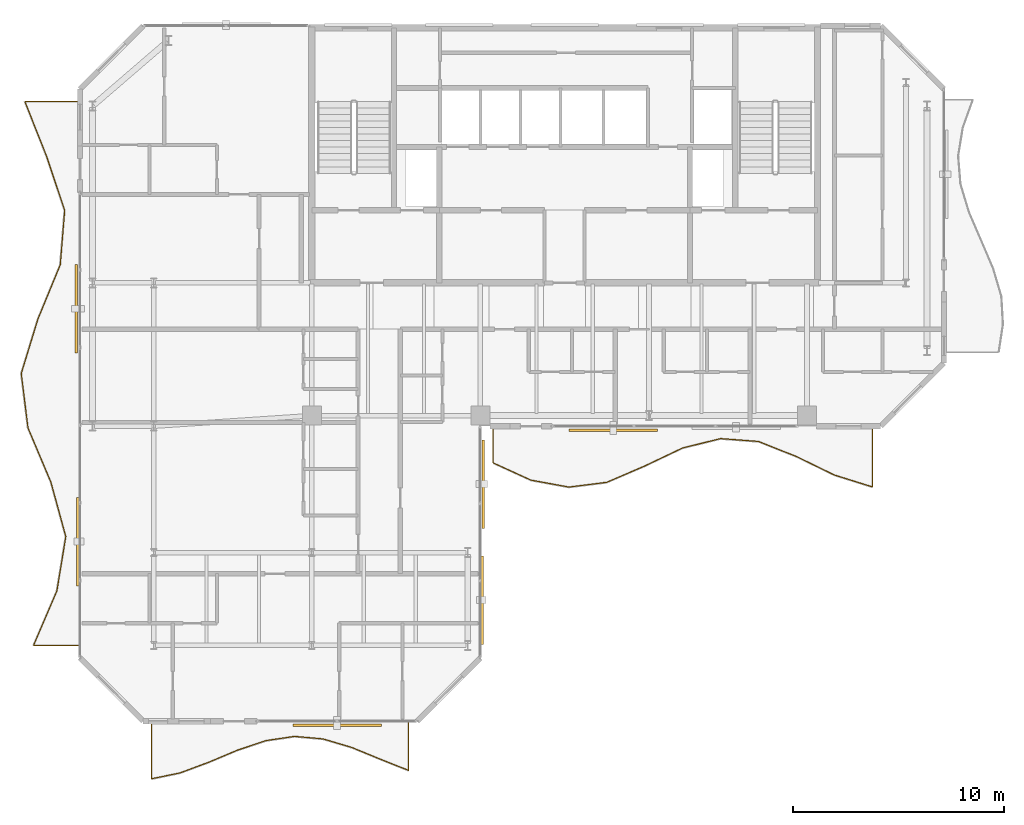
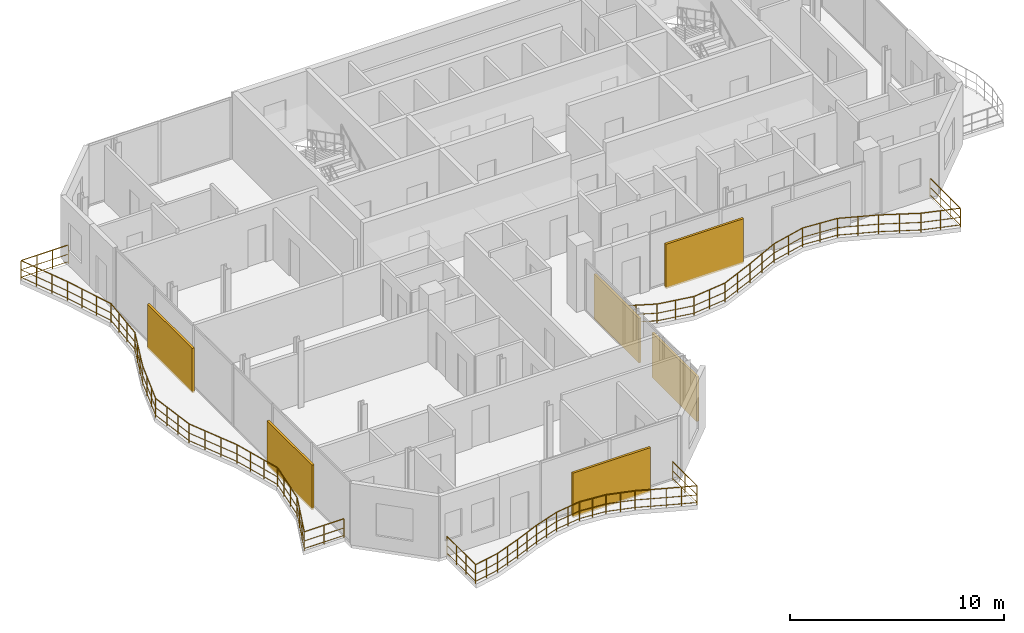
# One storey, part 22 of 24: 6 shading devices, 3 railings.
"""IFC4 building model written with IfcOpenShell, lengths in metres."""

from ifc_helpers import new_model, si_unit, direction, frame, origin, origin_2d, place, context, subcontext, project, spatial, rectangle, circle, extrude, material, type_object, element, save


model = new_model("IFC4")

# Units and contexts
model_context = context("Model", 3, precision=1e-05, world=origin(), true_north=direction((0.0, 1.0)))
body_context = subcontext(model_context, "Body", "Model", "MODEL_VIEW")
ifc_project = project(units=[si_unit("LENGTHUNIT", "METRE"), si_unit("AREAUNIT", "SQUARE_METRE"), si_unit("VOLUMEUNIT", "CUBIC_METRE"), si_unit("PLANEANGLEUNIT", "RADIAN"), si_unit("MASSUNIT", "GRAM", prefix="KILO")], contexts=[model_context])

# Site, building, storey
site_placement = place(None, origin())
site = spatial("IfcSite", under=ifc_project, at=site_placement, CompositionType="ELEMENT")
building_placement = place(site_placement, origin())
building = spatial("IfcBuilding", under=site, at=building_placement, Name="Catumbela Crestline Tower", CompositionType="ELEMENT")
storey_placement = place(building_placement, frame((0.0, 0.0, 237.4)))
storey = spatial("IfcBuildingStorey", under=building, at=storey_placement, Name="L61", CompositionType="ELEMENT", Elevation=237.4)

# Railings
ifc_material_1 = material(Name="Stainless steel EN 1.4401", Category="steel")
railing_type = type_object("IfcRailingType", Name="RB-1100", PredefinedType="BALUSTRADE", material=ifc_material_1)
railing_1_placement = place(storey_placement, frame((24.6, 23.94, 0.0)))
element("IfcRailing", 1, at=railing_1_placement, inside=storey, type_object=railing_type, Name="L61 Private Wave Balcony Balustrade 1", PredefinedType="BALUSTRADE", context=body_context, shape_type="SweptSolid", body=[
    extrude(circle(Radius=0.024, at=origin_2d()), frame((0.0, 0.0, 1.076), z_axis=(0.0, -1.0, 0.0), x_axis=(1.0, 0.0, 0.0)), (0.0, 0.0, 1.0), 1.68),
    extrude(circle(Radius=0.0156, at=origin_2d()), frame((0.0, 0.0, 0.55), z_axis=(0.0, -1.0, 0.0), x_axis=(1.0, 0.0, 0.0)), (0.0, 0.0, 1.0), 1.68),
    extrude(circle(Radius=0.0156, at=origin_2d()), frame((0.0, 0.0, 0.12), z_axis=(0.0, -1.0, 0.0), x_axis=(1.0, 0.0, 0.0)), (0.0, 0.0, 1.0), 1.68),
    extrude(circle(Radius=0.024, at=origin_2d()), frame((0.0, -1.68, 1.076), z_axis=(0.909733657009, -0.415192332907, 0.0), x_axis=(0.415192332907, 0.909733657009, 0.0)), (0.0, 0.0, 1.0), 1.9786),
    extrude(circle(Radius=0.0156, at=origin_2d()), frame((0.0, -1.68, 0.55), z_axis=(0.909733657009, -0.415192332907, 0.0), x_axis=(0.415192332907, 0.909733657009, 0.0)), (0.0, 0.0, 1.0), 1.9786),
    extrude(circle(Radius=0.0156, at=origin_2d()), frame((0.0, -1.68, 0.12), z_axis=(0.909733657009, -0.415192332907, 0.0), x_axis=(0.415192332907, 0.909733657009, 0.0)), (0.0, 0.0, 1.0), 1.9786),
    extrude(circle(Radius=0.024, at=origin_2d()), frame((1.8, -2.5015, 1.076), z_axis=(0.983751645667, -0.179534675334, 0.0), x_axis=(0.179534675334, 0.983751645667, 0.0)), (0.0, 0.0, 1.0), 1.8297),
    extrude(circle(Radius=0.0156, at=origin_2d()), frame((1.8, -2.5015, 0.55), z_axis=(0.983751645667, -0.179534675334, 0.0), x_axis=(0.179534675334, 0.983751645667, 0.0)), (0.0, 0.0, 1.0), 1.8297),
    extrude(circle(Radius=0.0156, at=origin_2d()), frame((1.8, -2.5015, 0.12), z_axis=(0.983751645667, -0.179534675334, 0.0), x_axis=(0.179534675334, 0.983751645667, 0.0)), (0.0, 0.0, 1.0), 1.8297),
    extrude(circle(Radius=0.024, at=origin_2d()), frame((3.6, -2.83, 1.076), z_axis=(0.992250714481, 0.124251839469, 0.0), x_axis=(-0.124251839469, 0.992250714481, 0.0)), (0.0, 0.0, 1.0), 1.8141),
    extrude(circle(Radius=0.0156, at=origin_2d()), frame((3.6, -2.83, 0.55), z_axis=(0.992250714481, 0.124251839469, 0.0), x_axis=(-0.124251839469, 0.992250714481, 0.0)), (0.0, 0.0, 1.0), 1.8141),
    extrude(circle(Radius=0.0156, at=origin_2d()), frame((3.6, -2.83, 0.12), z_axis=(0.992250714481, 0.124251839469, 0.0), x_axis=(-0.124251839469, 0.992250714481, 0.0)), (0.0, 0.0, 1.0), 1.8141),
    extrude(circle(Radius=0.024, at=origin_2d()), frame((5.4, -2.6046, 1.076), z_axis=(0.91863214227, 0.395113891414, 0.0), x_axis=(-0.395113891414, 0.91863214227, 0.0)), (0.0, 0.0, 1.0), 1.9594),
    extrude(circle(Radius=0.0156, at=origin_2d()), frame((5.4, -2.6046, 0.55), z_axis=(0.91863214227, 0.395113891414, 0.0), x_axis=(-0.395113891414, 0.91863214227, 0.0)), (0.0, 0.0, 1.0), 1.9594),
    extrude(circle(Radius=0.0156, at=origin_2d()), frame((5.4, -2.6046, 0.12), z_axis=(0.91863214227, 0.395113891414, 0.0), x_axis=(-0.395113891414, 0.91863214227, 0.0)), (0.0, 0.0, 1.0), 1.9594),
    extrude(circle(Radius=0.024, at=origin_2d()), frame((7.2, -1.8304, 1.076), z_axis=(0.903141340366, 0.429343358306, 0.0), x_axis=(-0.429343358306, 0.903141340366, 0.0)), (0.0, 0.0, 1.0), 1.993),
    extrude(circle(Radius=0.0156, at=origin_2d()), frame((7.2, -1.8304, 0.55), z_axis=(0.903141340366, 0.429343358306, 0.0), x_axis=(-0.429343358306, 0.903141340366, 0.0)), (0.0, 0.0, 1.0), 1.993),
    extrude(circle(Radius=0.0156, at=origin_2d()), frame((7.2, -1.8304, 0.12), z_axis=(0.903141340366, 0.429343358306, 0.0), x_axis=(-0.429343358306, 0.903141340366, 0.0)), (0.0, 0.0, 1.0), 1.993),
    extrude(circle(Radius=0.024, at=origin_2d()), frame((9.0, -0.9747, 1.076), z_axis=(0.97081135802, 0.239844339395, 0.0), x_axis=(-0.239844339395, 0.97081135802, 0.0)), (0.0, 0.0, 1.0), 1.8541),
    extrude(circle(Radius=0.0156, at=origin_2d()), frame((9.0, -0.9747, 0.55), z_axis=(0.97081135802, 0.239844339395, 0.0), x_axis=(-0.239844339395, 0.97081135802, 0.0)), (0.0, 0.0, 1.0), 1.8541),
    extrude(circle(Radius=0.0156, at=origin_2d()), frame((9.0, -0.9747, 0.12), z_axis=(0.97081135802, 0.239844339395, 0.0), x_axis=(-0.239844339395, 0.97081135802, 0.0)), (0.0, 0.0, 1.0), 1.8541),
    extrude(circle(Radius=0.024, at=origin_2d()), frame((10.8, -0.53, 1.076), z_axis=(0.9971244509, -0.075781458268, 0.0), x_axis=(0.075781458268, 0.9971244509, 0.0)), (0.0, 0.0, 1.0), 1.8052),
    extrude(circle(Radius=0.0156, at=origin_2d()), frame((10.8, -0.53, 0.55), z_axis=(0.9971244509, -0.075781458268, 0.0), x_axis=(0.075781458268, 0.9971244509, 0.0)), (0.0, 0.0, 1.0), 1.8052),
    extrude(circle(Radius=0.0156, at=origin_2d()), frame((10.8, -0.53, 0.12), z_axis=(0.9971244509, -0.075781458268, 0.0), x_axis=(0.075781458268, 0.9971244509, 0.0)), (0.0, 0.0, 1.0), 1.8052),
    extrude(circle(Radius=0.024, at=origin_2d()), frame((12.6, -0.6668, 1.076), z_axis=(0.929399644581, -0.369074925526, 0.0), x_axis=(0.369074925526, 0.929399644581, 0.0)), (0.0, 0.0, 1.0), 1.9367),
    extrude(circle(Radius=0.0156, at=origin_2d()), frame((12.6, -0.6668, 0.55), z_axis=(0.929399644581, -0.369074925526, 0.0), x_axis=(0.369074925526, 0.929399644581, 0.0)), (0.0, 0.0, 1.0), 1.9367),
    extrude(circle(Radius=0.0156, at=origin_2d()), frame((12.6, -0.6668, 0.12), z_axis=(0.929399644581, -0.369074925526, 0.0), x_axis=(0.369074925526, 0.929399644581, 0.0)), (0.0, 0.0, 1.0), 1.9367),
    extrude(circle(Radius=0.024, at=origin_2d()), frame((14.4, -1.3816, 1.076), z_axis=(0.899073055886, -0.437798629714, 0.0), x_axis=(0.437798629714, 0.899073055886, 0.0)), (0.0, 0.0, 1.0), 2.0021),
    extrude(circle(Radius=0.0156, at=origin_2d()), frame((14.4, -1.3816, 0.55), z_axis=(0.899073055886, -0.437798629714, 0.0), x_axis=(0.437798629714, 0.899073055886, 0.0)), (0.0, 0.0, 1.0), 2.0021),
    extrude(circle(Radius=0.0156, at=origin_2d()), frame((14.4, -1.3816, 0.12), z_axis=(0.899073055886, -0.437798629714, 0.0), x_axis=(0.437798629714, 0.899073055886, 0.0)), (0.0, 0.0, 1.0), 2.0021),
    extrude(circle(Radius=0.024, at=origin_2d()), frame((16.2, -2.2581, 1.076), z_axis=(0.954374253933, -0.298613099897, 0.0), x_axis=(0.298613099897, 0.954374253933, 0.0)), (0.0, 0.0, 1.0), 1.8861),
    extrude(circle(Radius=0.0156, at=origin_2d()), frame((16.2, -2.2581, 0.55), z_axis=(0.954374253933, -0.298613099897, 0.0), x_axis=(0.298613099897, 0.954374253933, 0.0)), (0.0, 0.0, 1.0), 1.8861),
    extrude(circle(Radius=0.0156, at=origin_2d()), frame((16.2, -2.2581, 0.12), z_axis=(0.954374253933, -0.298613099897, 0.0), x_axis=(0.298613099897, 0.954374253933, 0.0)), (0.0, 0.0, 1.0), 1.8861),
    extrude(circle(Radius=0.024, at=origin_2d()), frame((18.0, -2.8213, 1.076), z_axis=(0.0, 1.0, 0.0), x_axis=(-1.0, 0.0, 0.0)), (0.0, 0.0, 1.0), 2.8213),
    extrude(circle(Radius=0.0156, at=origin_2d()), frame((18.0, -2.8213, 0.55), z_axis=(0.0, 1.0, 0.0), x_axis=(-1.0, 0.0, 0.0)), (0.0, 0.0, 1.0), 2.8213),
    extrude(circle(Radius=0.0156, at=origin_2d()), frame((18.0, -2.8213, 0.12), z_axis=(0.0, 1.0, 0.0), x_axis=(-1.0, 0.0, 0.0)), (0.0, 0.0, 1.0), 2.8213),
    extrude(circle(Radius=0.021, at=origin_2d()), origin(), (0.0, 0.0, 1.0), 1.052),
    extrude(circle(Radius=0.021, at=origin_2d()), frame((0.0, -0.84, 0.0)), (0.0, 0.0, 1.0), 1.052),
    extrude(circle(Radius=0.021, at=origin_2d()), frame((0.0, -1.68, 0.0)), (0.0, 0.0, 1.0), 1.052),
    extrude(circle(Radius=0.021, at=origin_2d()), frame((0.9, -2.0908, 0.0)), (0.0, 0.0, 1.0), 1.052),
    extrude(circle(Radius=0.021, at=origin_2d()), frame((1.8, -2.5015, 0.0)), (0.0, 0.0, 1.0), 1.052),
    extrude(circle(Radius=0.021, at=origin_2d()), frame((2.7, -2.6658, 0.0)), (0.0, 0.0, 1.0), 1.052),
    extrude(circle(Radius=0.021, at=origin_2d()), frame((3.6, -2.83, 0.0)), (0.0, 0.0, 1.0), 1.052),
    extrude(circle(Radius=0.021, at=origin_2d()), frame((4.5, -2.7173, 0.0)), (0.0, 0.0, 1.0), 1.052),
    extrude(circle(Radius=0.021, at=origin_2d()), frame((5.4, -2.6046, 0.0)), (0.0, 0.0, 1.0), 1.052),
    extrude(circle(Radius=0.021, at=origin_2d()), frame((6.3, -2.2175, 0.0)), (0.0, 0.0, 1.0), 1.052),
    extrude(circle(Radius=0.021, at=origin_2d()), frame((7.2, -1.8304, 0.0)), (0.0, 0.0, 1.0), 1.052),
    extrude(circle(Radius=0.021, at=origin_2d()), frame((8.1, -1.4026, 0.0)), (0.0, 0.0, 1.0), 1.052),
    extrude(circle(Radius=0.021, at=origin_2d()), frame((9.0, -0.9747, 0.0)), (0.0, 0.0, 1.0), 1.052),
    extrude(circle(Radius=0.021, at=origin_2d()), frame((9.9, -0.7524, 0.0)), (0.0, 0.0, 1.0), 1.052),
    extrude(circle(Radius=0.021, at=origin_2d()), frame((10.8, -0.53, 0.0)), (0.0, 0.0, 1.0), 1.052),
    extrude(circle(Radius=0.021, at=origin_2d()), frame((11.7, -0.5984, 0.0)), (0.0, 0.0, 1.0), 1.052),
    extrude(circle(Radius=0.021, at=origin_2d()), frame((12.6, -0.6668, 0.0)), (0.0, 0.0, 1.0), 1.052),
    extrude(circle(Radius=0.021, at=origin_2d()), frame((13.5, -1.0242, 0.0)), (0.0, 0.0, 1.0), 1.052),
    extrude(circle(Radius=0.021, at=origin_2d()), frame((14.4, -1.3816, 0.0)), (0.0, 0.0, 1.0), 1.052),
    extrude(circle(Radius=0.021, at=origin_2d()), frame((15.3, -1.8199, 0.0)), (0.0, 0.0, 1.0), 1.052),
    extrude(circle(Radius=0.021, at=origin_2d()), frame((16.2, -2.2581, 0.0)), (0.0, 0.0, 1.0), 1.052),
    extrude(circle(Radius=0.021, at=origin_2d()), frame((17.1, -2.5397, 0.0)), (0.0, 0.0, 1.0), 1.052),
    extrude(circle(Radius=0.021, at=origin_2d()), frame((18.0, -2.8213, 0.0)), (0.0, 0.0, 1.0), 1.052),
    extrude(circle(Radius=0.021, at=origin_2d()), frame((18.0, -1.8809, 0.0)), (0.0, 0.0, 1.0), 1.052),
    extrude(circle(Radius=0.021, at=origin_2d()), frame((18.0, -0.9404, 0.0)), (0.0, 0.0, 1.0), 1.052),
    extrude(circle(Radius=0.021, at=origin_2d()), frame((18.0, 0.0, 0.0)), (0.0, 0.0, 1.0), 1.052),
])
railing_2_placement = place(storey_placement, frame((8.4, 9.94, 0.0)))
element("IfcRailing", 2, at=railing_2_placement, inside=storey, type_object=railing_type, Name="L61 Private Wave Balcony Balustrade 3", PredefinedType="BALUSTRADE", context=body_context, shape_type="SweptSolid", body=[
    extrude(circle(Radius=0.024, at=origin_2d()), frame((0.0, 0.0, 1.076), z_axis=(0.0, -1.0, 0.0), x_axis=(1.0, 0.0, 0.0)), (0.0, 0.0, 1.0), 2.6733),
    extrude(circle(Radius=0.0156, at=origin_2d()), frame((0.0, 0.0, 0.55), z_axis=(0.0, -1.0, 0.0), x_axis=(1.0, 0.0, 0.0)), (0.0, 0.0, 1.0), 2.6733),
    extrude(circle(Radius=0.0156, at=origin_2d()), frame((0.0, 0.0, 0.12), z_axis=(0.0, -1.0, 0.0), x_axis=(1.0, 0.0, 0.0)), (0.0, 0.0, 1.0), 2.6733),
    extrude(circle(Radius=0.024, at=origin_2d()), frame((0.0, -2.6733, 1.076), z_axis=(0.979255971332, 0.20262710236, 0.0), x_axis=(-0.20262710236, 0.979255971332, 0.0)), (0.0, 0.0, 1.0), 1.3843),
    extrude(circle(Radius=0.0156, at=origin_2d()), frame((0.0, -2.6733, 0.55), z_axis=(0.979255971332, 0.20262710236, 0.0), x_axis=(-0.20262710236, 0.979255971332, 0.0)), (0.0, 0.0, 1.0), 1.3843),
    extrude(circle(Radius=0.0156, at=origin_2d()), frame((0.0, -2.6733, 0.12), z_axis=(0.979255971332, 0.20262710236, 0.0), x_axis=(-0.20262710236, 0.979255971332, 0.0)), (0.0, 0.0, 1.0), 1.3843),
    extrude(circle(Radius=0.024, at=origin_2d()), frame((1.3556, -2.3928, 1.076), z_axis=(0.93726073725, 0.348629187548, 0.0), x_axis=(-0.348629187548, 0.93726073725, 0.0)), (0.0, 0.0, 1.0), 1.4462),
    extrude(circle(Radius=0.0156, at=origin_2d()), frame((1.3556, -2.3928, 0.55), z_axis=(0.93726073725, 0.348629187548, 0.0), x_axis=(-0.348629187548, 0.93726073725, 0.0)), (0.0, 0.0, 1.0), 1.4462),
    extrude(circle(Radius=0.0156, at=origin_2d()), frame((1.3556, -2.3928, 0.12), z_axis=(0.93726073725, 0.348629187548, 0.0), x_axis=(-0.348629187548, 0.93726073725, 0.0)), (0.0, 0.0, 1.0), 1.4462),
    extrude(circle(Radius=0.024, at=origin_2d()), frame((2.7111, -1.8886, 1.076), z_axis=(0.921897589899, 0.387433650756, 0.0), x_axis=(-0.387433650756, 0.921897589899, 0.0)), (0.0, 0.0, 1.0), 1.4704),
    extrude(circle(Radius=0.0156, at=origin_2d()), frame((2.7111, -1.8886, 0.55), z_axis=(0.921897589899, 0.387433650756, 0.0), x_axis=(-0.387433650756, 0.921897589899, 0.0)), (0.0, 0.0, 1.0), 1.4704),
    extrude(circle(Radius=0.0156, at=origin_2d()), frame((2.7111, -1.8886, 0.12), z_axis=(0.921897589899, 0.387433650756, 0.0), x_axis=(-0.387433650756, 0.921897589899, 0.0)), (0.0, 0.0, 1.0), 1.4704),
    extrude(circle(Radius=0.024, at=origin_2d()), frame((4.0667, -1.3189, 1.076), z_axis=(0.947742229417, 0.319037092795, 0.0), x_axis=(-0.319037092795, 0.947742229417, 0.0)), (0.0, 0.0, 1.0), 1.4302),
    extrude(circle(Radius=0.0156, at=origin_2d()), frame((4.0667, -1.3189, 0.55), z_axis=(0.947742229417, 0.319037092795, 0.0), x_axis=(-0.319037092795, 0.947742229417, 0.0)), (0.0, 0.0, 1.0), 1.4302),
    extrude(circle(Radius=0.0156, at=origin_2d()), frame((4.0667, -1.3189, 0.12), z_axis=(0.947742229417, 0.319037092795, 0.0), x_axis=(-0.319037092795, 0.947742229417, 0.0)), (0.0, 0.0, 1.0), 1.4302),
    extrude(circle(Radius=0.024, at=origin_2d()), frame((5.4222, -0.8626, 1.076), z_axis=(0.989301589642, 0.145884765247, 0.0), x_axis=(-0.145884765247, 0.989301589642, 0.0)), (0.0, 0.0, 1.0), 1.3703),
    extrude(circle(Radius=0.0156, at=origin_2d()), frame((5.4222, -0.8626, 0.55), z_axis=(0.989301589642, 0.145884765247, 0.0), x_axis=(-0.145884765247, 0.989301589642, 0.0)), (0.0, 0.0, 1.0), 1.3703),
    extrude(circle(Radius=0.0156, at=origin_2d()), frame((5.4222, -0.8626, 0.12), z_axis=(0.989301589642, 0.145884765247, 0.0), x_axis=(-0.145884765247, 0.989301589642, 0.0)), (0.0, 0.0, 1.0), 1.3703),
    extrude(circle(Radius=0.024, at=origin_2d()), frame((6.7778, -0.6627, 1.076), z_axis=(0.996136470623, -0.087818744551, 0.0), x_axis=(0.087818744551, 0.996136470623, 0.0)), (0.0, 0.0, 1.0), 1.3608),
    extrude(circle(Radius=0.0156, at=origin_2d()), frame((6.7778, -0.6627, 0.55), z_axis=(0.996136470623, -0.087818744551, 0.0), x_axis=(0.087818744551, 0.996136470623, 0.0)), (0.0, 0.0, 1.0), 1.3608),
    extrude(circle(Radius=0.0156, at=origin_2d()), frame((6.7778, -0.6627, 0.12), z_axis=(0.996136470623, -0.087818744551, 0.0), x_axis=(0.087818744551, 0.996136470623, 0.0)), (0.0, 0.0, 1.0), 1.3608),
    extrude(circle(Radius=0.024, at=origin_2d()), frame((8.1333, -0.7822, 1.076), z_axis=(0.958886552116, -0.283789675943, 0.0), x_axis=(0.283789675943, 0.958886552116, 0.0)), (0.0, 0.0, 1.0), 1.4137),
    extrude(circle(Radius=0.0156, at=origin_2d()), frame((8.1333, -0.7822, 0.55), z_axis=(0.958886552116, -0.283789675943, 0.0), x_axis=(0.283789675943, 0.958886552116, 0.0)), (0.0, 0.0, 1.0), 1.4137),
    extrude(circle(Radius=0.0156, at=origin_2d()), frame((8.1333, -0.7822, 0.12), z_axis=(0.958886552116, -0.283789675943, 0.0), x_axis=(0.283789675943, 0.958886552116, 0.0)), (0.0, 0.0, 1.0), 1.4137),
    extrude(circle(Radius=0.024, at=origin_2d()), frame((9.4889, -1.1834, 1.076), z_axis=(0.924929438633, -0.380138834572, 0.0), x_axis=(0.380138834572, 0.924929438633, 0.0)), (0.0, 0.0, 1.0), 1.4655),
    extrude(circle(Radius=0.0156, at=origin_2d()), frame((9.4889, -1.1834, 0.55), z_axis=(0.924929438633, -0.380138834572, 0.0), x_axis=(0.380138834572, 0.924929438633, 0.0)), (0.0, 0.0, 1.0), 1.4655),
    extrude(circle(Radius=0.0156, at=origin_2d()), frame((9.4889, -1.1834, 0.12), z_axis=(0.924929438633, -0.380138834572, 0.0), x_axis=(0.380138834572, 0.924929438633, 0.0)), (0.0, 0.0, 1.0), 1.4655),
    extrude(circle(Radius=0.024, at=origin_2d()), frame((10.8444, -1.7405, 1.076), z_axis=(0.929452275116, -0.368942364444, 0.0), x_axis=(0.368942364444, 0.929452275116, 0.0)), (0.0, 0.0, 1.0), 1.4585),
    extrude(circle(Radius=0.0156, at=origin_2d()), frame((10.8444, -1.7405, 0.55), z_axis=(0.929452275116, -0.368942364444, 0.0), x_axis=(0.368942364444, 0.929452275116, 0.0)), (0.0, 0.0, 1.0), 1.4585),
    extrude(circle(Radius=0.0156, at=origin_2d()), frame((10.8444, -1.7405, 0.12), z_axis=(0.929452275116, -0.368942364444, 0.0), x_axis=(0.368942364444, 0.929452275116, 0.0)), (0.0, 0.0, 1.0), 1.4585),
    extrude(circle(Radius=0.024, at=origin_2d()), frame((12.2, -2.2786, 1.076), z_axis=(0.0, 1.0, 0.0), x_axis=(-1.0, 0.0, 0.0)), (0.0, 0.0, 1.0), 2.2786),
    extrude(circle(Radius=0.0156, at=origin_2d()), frame((12.2, -2.2786, 0.55), z_axis=(0.0, 1.0, 0.0), x_axis=(-1.0, 0.0, 0.0)), (0.0, 0.0, 1.0), 2.2786),
    extrude(circle(Radius=0.0156, at=origin_2d()), frame((12.2, -2.2786, 0.12), z_axis=(0.0, 1.0, 0.0), x_axis=(-1.0, 0.0, 0.0)), (0.0, 0.0, 1.0), 2.2786),
    extrude(circle(Radius=0.021, at=origin_2d()), origin(), (0.0, 0.0, 1.0), 1.052),
    extrude(circle(Radius=0.021, at=origin_2d()), frame((0.0, -0.8911, 0.0)), (0.0, 0.0, 1.0), 1.052),
    extrude(circle(Radius=0.021, at=origin_2d()), frame((0.0, -1.7822, 0.0)), (0.0, 0.0, 1.0), 1.052),
    extrude(circle(Radius=0.021, at=origin_2d()), frame((0.0, -2.6733, 0.0)), (0.0, 0.0, 1.0), 1.052),
    extrude(circle(Radius=0.021, at=origin_2d()), frame((0.6778, -2.533, 0.0)), (0.0, 0.0, 1.0), 1.052),
    extrude(circle(Radius=0.021, at=origin_2d()), frame((1.3556, -2.3928, 0.0)), (0.0, 0.0, 1.0), 1.052),
    extrude(circle(Radius=0.021, at=origin_2d()), frame((2.0333, -2.1407, 0.0)), (0.0, 0.0, 1.0), 1.052),
    extrude(circle(Radius=0.021, at=origin_2d()), frame((2.7111, -1.8886, 0.0)), (0.0, 0.0, 1.0), 1.052),
    extrude(circle(Radius=0.021, at=origin_2d()), frame((3.3889, -1.6037, 0.0)), (0.0, 0.0, 1.0), 1.052),
    extrude(circle(Radius=0.021, at=origin_2d()), frame((4.0667, -1.3189, 0.0)), (0.0, 0.0, 1.0), 1.052),
    extrude(circle(Radius=0.021, at=origin_2d()), frame((4.7444, -1.0907, 0.0)), (0.0, 0.0, 1.0), 1.052),
    extrude(circle(Radius=0.021, at=origin_2d()), frame((5.4222, -0.8626, 0.0)), (0.0, 0.0, 1.0), 1.052),
    extrude(circle(Radius=0.021, at=origin_2d()), frame((6.1, -0.7626, 0.0)), (0.0, 0.0, 1.0), 1.052),
    extrude(circle(Radius=0.021, at=origin_2d()), frame((6.7778, -0.6627, 0.0)), (0.0, 0.0, 1.0), 1.052),
    extrude(circle(Radius=0.021, at=origin_2d()), frame((7.4556, -0.7224, 0.0)), (0.0, 0.0, 1.0), 1.052),
    extrude(circle(Radius=0.021, at=origin_2d()), frame((8.1333, -0.7822, 0.0)), (0.0, 0.0, 1.0), 1.052),
    extrude(circle(Radius=0.021, at=origin_2d()), frame((8.8111, -0.9828, 0.0)), (0.0, 0.0, 1.0), 1.052),
    extrude(circle(Radius=0.021, at=origin_2d()), frame((9.4889, -1.1834, 0.0)), (0.0, 0.0, 1.0), 1.052),
    extrude(circle(Radius=0.021, at=origin_2d()), frame((10.1666, -1.4619, 0.0)), (0.0, 0.0, 1.0), 1.052),
    extrude(circle(Radius=0.021, at=origin_2d()), frame((10.8444, -1.7405, 0.0)), (0.0, 0.0, 1.0), 1.052),
    extrude(circle(Radius=0.021, at=origin_2d()), frame((11.5222, -2.0095, 0.0)), (0.0, 0.0, 1.0), 1.052),
    extrude(circle(Radius=0.021, at=origin_2d()), frame((12.2, -2.2786, 0.0)), (0.0, 0.0, 1.0), 1.052),
    extrude(circle(Radius=0.021, at=origin_2d()), frame((12.2, -1.1393, 0.0)), (0.0, 0.0, 1.0), 1.052),
    extrude(circle(Radius=0.021, at=origin_2d()), frame((12.2, 0.0, 0.0)), (0.0, 0.0, 1.0), 1.052),
])
railing_3_placement = place(storey_placement, frame((4.94, 39.4, 0.0)))
element("IfcRailing", 3, at=railing_3_placement, inside=storey, type_object=railing_type, Name="L61 Private Wave Balcony Balustrade 4", PredefinedType="BALUSTRADE", context=body_context, shape_type="SweptSolid", body=[
    extrude(circle(Radius=0.024, at=origin_2d()), frame((0.0, 0.0, 1.076), z_axis=(-1.0, 0.0, 0.0), x_axis=(0.0, -1.0, 0.0)), (0.0, 0.0, 1.0), 2.5526),
    extrude(circle(Radius=0.0156, at=origin_2d()), frame((0.0, 0.0, 0.55), z_axis=(-1.0, 0.0, 0.0), x_axis=(0.0, -1.0, 0.0)), (0.0, 0.0, 1.0), 2.5526),
    extrude(circle(Radius=0.0156, at=origin_2d()), frame((0.0, 0.0, 0.12), z_axis=(-1.0, 0.0, 0.0), x_axis=(0.0, -1.0, 0.0)), (0.0, 0.0, 1.0), 2.5526),
    extrude(circle(Radius=0.024, at=origin_2d()), frame((-2.5526, 0.0, 1.076), z_axis=(0.368686912688, -0.929553635038, 0.0), x_axis=(0.929553635038, 0.368686912688, 0.0)), (0.0, 0.0, 1.0), 2.7755),
    extrude(circle(Radius=0.0156, at=origin_2d()), frame((-2.5526, 0.0, 0.55), z_axis=(0.368686912688, -0.929553635038, 0.0), x_axis=(0.929553635038, 0.368686912688, 0.0)), (0.0, 0.0, 1.0), 2.7755),
    extrude(circle(Radius=0.0156, at=origin_2d()), frame((-2.5526, 0.0, 0.12), z_axis=(0.368686912688, -0.929553635038, 0.0), x_axis=(0.929553635038, 0.368686912688, 0.0)), (0.0, 0.0, 1.0), 2.7755),
    extrude(circle(Radius=0.024, at=origin_2d()), frame((-1.5293, -2.58, 1.076), z_axis=(0.317484488838, -0.948263465155, 0.0), x_axis=(0.948263465155, 0.317484488838, 0.0)), (0.0, 0.0, 1.0), 2.7208),
    extrude(circle(Radius=0.0156, at=origin_2d()), frame((-1.5293, -2.58, 0.55), z_axis=(0.317484488838, -0.948263465155, 0.0), x_axis=(0.948263465155, 0.317484488838, 0.0)), (0.0, 0.0, 1.0), 2.7208),
    extrude(circle(Radius=0.0156, at=origin_2d()), frame((-1.5293, -2.58, 0.12), z_axis=(0.317484488838, -0.948263465155, 0.0), x_axis=(0.948263465155, 0.317484488838, 0.0)), (0.0, 0.0, 1.0), 2.7208),
    extrude(circle(Radius=0.024, at=origin_2d()), frame((-0.6655, -5.16, 1.076), z_axis=(-0.081203805519, -0.99669751779, 0.0), x_axis=(0.99669751779, -0.081203805519, 0.0)), (0.0, 0.0, 1.0), 2.5885),
    extrude(circle(Radius=0.0156, at=origin_2d()), frame((-0.6655, -5.16, 0.55), z_axis=(-0.081203805519, -0.99669751779, 0.0), x_axis=(0.99669751779, -0.081203805519, 0.0)), (0.0, 0.0, 1.0), 2.5885),
    extrude(circle(Radius=0.0156, at=origin_2d()), frame((-0.6655, -5.16, 0.12), z_axis=(-0.081203805519, -0.99669751779, 0.0), x_axis=(0.99669751779, -0.081203805519, 0.0)), (0.0, 0.0, 1.0), 2.5885),
    extrude(circle(Radius=0.024, at=origin_2d()), frame((-0.8757, -7.74, 1.076), z_axis=(-0.380519034919, -0.924773087878, 0.0), x_axis=(0.924773087878, -0.380519034919, 0.0)), (0.0, 0.0, 1.0), 2.7899),
    extrude(circle(Radius=0.0156, at=origin_2d()), frame((-0.8757, -7.74, 0.55), z_axis=(-0.380519034919, -0.924773087878, 0.0), x_axis=(0.924773087878, -0.380519034919, 0.0)), (0.0, 0.0, 1.0), 2.7899),
    extrude(circle(Radius=0.0156, at=origin_2d()), frame((-0.8757, -7.74, 0.12), z_axis=(-0.380519034919, -0.924773087878, 0.0), x_axis=(0.924773087878, -0.380519034919, 0.0)), (0.0, 0.0, 1.0), 2.7899),
    extrude(circle(Radius=0.024, at=origin_2d()), frame((-1.9373, -10.32, 1.076), z_axis=(-0.292512316759, -0.956261755245, 0.0), x_axis=(0.956261755245, -0.292512316759, 0.0)), (0.0, 0.0, 1.0), 2.698),
    extrude(circle(Radius=0.0156, at=origin_2d()), frame((-1.9373, -10.32, 0.55), z_axis=(-0.292512316759, -0.956261755245, 0.0), x_axis=(0.956261755245, -0.292512316759, 0.0)), (0.0, 0.0, 1.0), 2.698),
    extrude(circle(Radius=0.0156, at=origin_2d()), frame((-1.9373, -10.32, 0.12), z_axis=(-0.292512316759, -0.956261755245, 0.0), x_axis=(0.956261755245, -0.292512316759, 0.0)), (0.0, 0.0, 1.0), 2.698),
    extrude(circle(Radius=0.024, at=origin_2d()), frame((-2.7265, -12.9, 1.076), z_axis=(0.122557445271, -0.992461421219, 0.0), x_axis=(0.992461421219, 0.122557445271, 0.0)), (0.0, 0.0, 1.0), 2.5996),
    extrude(circle(Radius=0.0156, at=origin_2d()), frame((-2.7265, -12.9, 0.55), z_axis=(0.122557445271, -0.992461421219, 0.0), x_axis=(0.992461421219, 0.122557445271, 0.0)), (0.0, 0.0, 1.0), 2.5996),
    extrude(circle(Radius=0.0156, at=origin_2d()), frame((-2.7265, -12.9, 0.12), z_axis=(0.122557445271, -0.992461421219, 0.0), x_axis=(0.992461421219, 0.122557445271, 0.0)), (0.0, 0.0, 1.0), 2.5996),
    extrude(circle(Radius=0.024, at=origin_2d()), frame((-2.4079, -15.48, 1.076), z_axis=(0.38890132228, -0.921279415557, 0.0), x_axis=(0.921279415557, 0.38890132228, 0.0)), (0.0, 0.0, 1.0), 2.8005),
    extrude(circle(Radius=0.0156, at=origin_2d()), frame((-2.4079, -15.48, 0.55), z_axis=(0.38890132228, -0.921279415557, 0.0), x_axis=(0.921279415557, 0.38890132228, 0.0)), (0.0, 0.0, 1.0), 2.8005),
    extrude(circle(Radius=0.0156, at=origin_2d()), frame((-2.4079, -15.48, 0.12), z_axis=(0.38890132228, -0.921279415557, 0.0), x_axis=(0.921279415557, 0.38890132228, 0.0)), (0.0, 0.0, 1.0), 2.8005),
    extrude(circle(Radius=0.024, at=origin_2d()), frame((-1.3188, -18.06, 1.076), z_axis=(0.264217999079, -0.964462984755, 0.0), x_axis=(0.964462984755, 0.264217999079, 0.0)), (0.0, 0.0, 1.0), 2.6751),
    extrude(circle(Radius=0.0156, at=origin_2d()), frame((-1.3188, -18.06, 0.55), z_axis=(0.264217999079, -0.964462984755, 0.0), x_axis=(0.964462984755, 0.264217999079, 0.0)), (0.0, 0.0, 1.0), 2.6751),
    extrude(circle(Radius=0.0156, at=origin_2d()), frame((-1.3188, -18.06, 0.12), z_axis=(0.264217999079, -0.964462984755, 0.0), x_axis=(0.964462984755, 0.264217999079, 0.0)), (0.0, 0.0, 1.0), 2.6751),
    extrude(circle(Radius=0.024, at=origin_2d()), frame((-0.612, -20.64, 1.076), z_axis=(-0.162091305745, -0.986775764093, 0.0), x_axis=(0.986775764093, -0.162091305745, 0.0)), (0.0, 0.0, 1.0), 2.6146),
    extrude(circle(Radius=0.0156, at=origin_2d()), frame((-0.612, -20.64, 0.55), z_axis=(-0.162091305745, -0.986775764093, 0.0), x_axis=(0.986775764093, -0.162091305745, 0.0)), (0.0, 0.0, 1.0), 2.6146),
    extrude(circle(Radius=0.0156, at=origin_2d()), frame((-0.612, -20.64, 0.12), z_axis=(-0.162091305745, -0.986775764093, 0.0), x_axis=(0.986775764093, -0.162091305745, 0.0)), (0.0, 0.0, 1.0), 2.6146),
    extrude(circle(Radius=0.024, at=origin_2d()), frame((-1.0358, -23.22, 1.076), z_axis=(-0.39394509609, -0.919133973514, 0.0), x_axis=(0.919133973514, -0.39394509609, 0.0)), (0.0, 0.0, 1.0), 2.807),
    extrude(circle(Radius=0.0156, at=origin_2d()), frame((-1.0358, -23.22, 0.55), z_axis=(-0.39394509609, -0.919133973514, 0.0), x_axis=(0.919133973514, -0.39394509609, 0.0)), (0.0, 0.0, 1.0), 2.807),
    extrude(circle(Radius=0.0156, at=origin_2d()), frame((-1.0358, -23.22, 0.12), z_axis=(-0.39394509609, -0.919133973514, 0.0), x_axis=(0.919133973514, -0.39394509609, 0.0)), (0.0, 0.0, 1.0), 2.807),
    extrude(circle(Radius=0.024, at=origin_2d()), frame((-2.1416, -25.8, 1.076), z_axis=(1.0, 0.0, 0.0), x_axis=(0.0, 1.0, 0.0)), (0.0, 0.0, 1.0), 2.1416),
    extrude(circle(Radius=0.0156, at=origin_2d()), frame((-2.1416, -25.8, 0.55), z_axis=(1.0, 0.0, 0.0), x_axis=(0.0, 1.0, 0.0)), (0.0, 0.0, 1.0), 2.1416),
    extrude(circle(Radius=0.0156, at=origin_2d()), frame((-2.1416, -25.8, 0.12), z_axis=(1.0, 0.0, 0.0), x_axis=(0.0, 1.0, 0.0)), (0.0, 0.0, 1.0), 2.1416),
    extrude(circle(Radius=0.021, at=origin_2d()), origin(), (0.0, 0.0, 1.0), 1.052),
    extrude(circle(Radius=0.021, at=origin_2d()), frame((-0.8509, 0.0, 0.0)), (0.0, 0.0, 1.0), 1.052),
    extrude(circle(Radius=0.021, at=origin_2d()), frame((-1.7017, 0.0, 0.0)), (0.0, 0.0, 1.0), 1.052),
    extrude(circle(Radius=0.021, at=origin_2d()), frame((-2.5526, 0.0, 0.0)), (0.0, 0.0, 1.0), 1.052),
    extrude(circle(Radius=0.021, at=origin_2d()), frame((-2.2115, -0.86, 0.0)), (0.0, 0.0, 1.0), 1.052),
    extrude(circle(Radius=0.021, at=origin_2d()), frame((-1.8704, -1.72, 0.0)), (0.0, 0.0, 1.0), 1.052),
    extrude(circle(Radius=0.021, at=origin_2d()), frame((-1.5293, -2.58, 0.0)), (0.0, 0.0, 1.0), 1.052),
    extrude(circle(Radius=0.021, at=origin_2d()), frame((-1.2414, -3.44, 0.0)), (0.0, 0.0, 1.0), 1.052),
    extrude(circle(Radius=0.021, at=origin_2d()), frame((-0.9534, -4.3, 0.0)), (0.0, 0.0, 1.0), 1.052),
    extrude(circle(Radius=0.021, at=origin_2d()), frame((-0.6655, -5.16, 0.0)), (0.0, 0.0, 1.0), 1.052),
    extrude(circle(Radius=0.021, at=origin_2d()), frame((-0.7356, -6.02, 0.0)), (0.0, 0.0, 1.0), 1.052),
    extrude(circle(Radius=0.021, at=origin_2d()), frame((-0.8056, -6.88, 0.0)), (0.0, 0.0, 1.0), 1.052),
    extrude(circle(Radius=0.021, at=origin_2d()), frame((-0.8757, -7.74, 0.0)), (0.0, 0.0, 1.0), 1.052),
    extrude(circle(Radius=0.021, at=origin_2d()), frame((-1.2296, -8.6, 0.0)), (0.0, 0.0, 1.0), 1.052),
    extrude(circle(Radius=0.021, at=origin_2d()), frame((-1.5834, -9.46, 0.0)), (0.0, 0.0, 1.0), 1.052),
    extrude(circle(Radius=0.021, at=origin_2d()), frame((-1.9373, -10.32, 0.0)), (0.0, 0.0, 1.0), 1.052),
    extrude(circle(Radius=0.021, at=origin_2d()), frame((-2.2004, -11.18, 0.0)), (0.0, 0.0, 1.0), 1.052),
    extrude(circle(Radius=0.021, at=origin_2d()), frame((-2.4634, -12.04, 0.0)), (0.0, 0.0, 1.0), 1.052),
    extrude(circle(Radius=0.021, at=origin_2d()), frame((-2.7265, -12.9, 0.0)), (0.0, 0.0, 1.0), 1.052),
    extrude(circle(Radius=0.021, at=origin_2d()), frame((-2.6203, -13.76, 0.0)), (0.0, 0.0, 1.0), 1.052),
    extrude(circle(Radius=0.021, at=origin_2d()), frame((-2.5141, -14.62, 0.0)), (0.0, 0.0, 1.0), 1.052),
    extrude(circle(Radius=0.021, at=origin_2d()), frame((-2.4079, -15.48, 0.0)), (0.0, 0.0, 1.0), 1.052),
    extrude(circle(Radius=0.021, at=origin_2d()), frame((-2.0449, -16.34, 0.0)), (0.0, 0.0, 1.0), 1.052),
    extrude(circle(Radius=0.021, at=origin_2d()), frame((-1.6818, -17.2, 0.0)), (0.0, 0.0, 1.0), 1.052),
    extrude(circle(Radius=0.021, at=origin_2d()), frame((-1.3188, -18.06, 0.0)), (0.0, 0.0, 1.0), 1.052),
    extrude(circle(Radius=0.021, at=origin_2d()), frame((-1.0832, -18.92, 0.0)), (0.0, 0.0, 1.0), 1.052),
    extrude(circle(Radius=0.021, at=origin_2d()), frame((-0.8476, -19.78, 0.0)), (0.0, 0.0, 1.0), 1.052),
    extrude(circle(Radius=0.021, at=origin_2d()), frame((-0.612, -20.64, 0.0)), (0.0, 0.0, 1.0), 1.052),
    extrude(circle(Radius=0.021, at=origin_2d()), frame((-0.7533, -21.5, 0.0)), (0.0, 0.0, 1.0), 1.052),
    extrude(circle(Radius=0.021, at=origin_2d()), frame((-0.8945, -22.36, 0.0)), (0.0, 0.0, 1.0), 1.052),
    extrude(circle(Radius=0.021, at=origin_2d()), frame((-1.0358, -23.22, 0.0)), (0.0, 0.0, 1.0), 1.052),
    extrude(circle(Radius=0.021, at=origin_2d()), frame((-1.4044, -24.08, 0.0)), (0.0, 0.0, 1.0), 1.052),
    extrude(circle(Radius=0.021, at=origin_2d()), frame((-1.773, -24.94, 0.0)), (0.0, 0.0, 1.0), 1.052),
    extrude(circle(Radius=0.021, at=origin_2d()), frame((-2.1416, -25.8, 0.0)), (0.0, 0.0, 1.0), 1.052),
    extrude(circle(Radius=0.021, at=origin_2d()), frame((-1.0708, -25.8, 0.0)), (0.0, 0.0, 1.0), 1.052),
    extrude(circle(Radius=0.021, at=origin_2d()), frame((0.0, -25.8, 0.0)), (0.0, 0.0, 1.0), 1.052),
])

# Shading devices
ifc_material_2 = material(Name="Extruded terracotta ceramic", Category="masonry")
shading_device_type_1 = type_object("IfcShadingDeviceType", Name="ST-180", PredefinedType="USERDEFINED", material=ifc_material_2)
for number, where, z_axis, x_axis, name in (
    (4, (24.099, 15.75, -0.1), (0.0, 0.0, 1.0), (0.0, 1.0, 0.0), "L61 Perforated Terracotta Solar Screen 732 (180 mm)"),
    (5, (4.901, 18.525, -0.1), (0.0, 0.0, 1.0), (0.0, -1.0, 0.0), "L61 Perforated Terracotta Solar Screen 739 (180 mm)"),
):
    element("IfcShadingDevice", number, at=place(storey_placement, frame(where, z_axis=z_axis, x_axis=x_axis)), inside=storey, type_object=shading_device_type_1, Name=name, ObjectType="SCREEN", PredefinedType="USERDEFINED", context=body_context, shape_type="SweptSolid", body=[
        extrude(rectangle(XDim=4.2, YDim=0.12, at=origin_2d()), origin(), (0.0, 0.0, 1.0), 2.55),
    ])
shading_device_type_2 = type_object("IfcShadingDeviceType", Name="ST-260", PredefinedType="USERDEFINED", material=ifc_material_2)
shading_device_placement = place(storey_placement, frame((24.143, 21.25, -0.1), z_axis=(0.0, 0.0, 1.0), x_axis=(0.0, 1.0, 0.0)))
element("IfcShadingDevice", 6, at=shading_device_placement, inside=storey, type_object=shading_device_type_2, Name="L61 Perforated Terracotta Solar Screen 733 (260 mm)", ObjectType="SCREEN", PredefinedType="USERDEFINED", context=body_context, shape_type="SweptSolid", body=[
    extrude(rectangle(XDim=4.2, YDim=0.12, at=origin_2d()), origin(), (0.0, 0.0, 1.0), 2.55),
])
shading_device_type_3 = type_object("IfcShadingDeviceType", Name="ST-340", PredefinedType="USERDEFINED", material=ifc_material_2)
for number, where, z_axis, x_axis, name in (
    (7, (17.2, 9.813, -0.1), (0.0, 0.0, 1.0), (1.0, 0.0, 0.0), "L61 Perforated Terracotta Solar Screen 731 (340 mm)"),
    (8, (30.3125, 23.813, -0.1), (0.0, 0.0, 1.0), (1.0, 0.0, 0.0), "L61 Perforated Terracotta Solar Screen 734 (340 mm)"),
    (9, (4.813, 29.575, -0.1), (0.0, 0.0, 1.0), (0.0, -1.0, 0.0), "L61 Perforated Terracotta Solar Screen 738 (340 mm)"),
):
    element("IfcShadingDevice", number, at=place(storey_placement, frame(where, z_axis=z_axis, x_axis=x_axis)), inside=storey, type_object=shading_device_type_3, Name=name, ObjectType="SCREEN", PredefinedType="USERDEFINED", context=body_context, shape_type="SweptSolid", body=[
        extrude(rectangle(XDim=4.2, YDim=0.12, at=origin_2d()), origin(), (0.0, 0.0, 1.0), 2.55),
    ])

save(model, "model.ifc")
